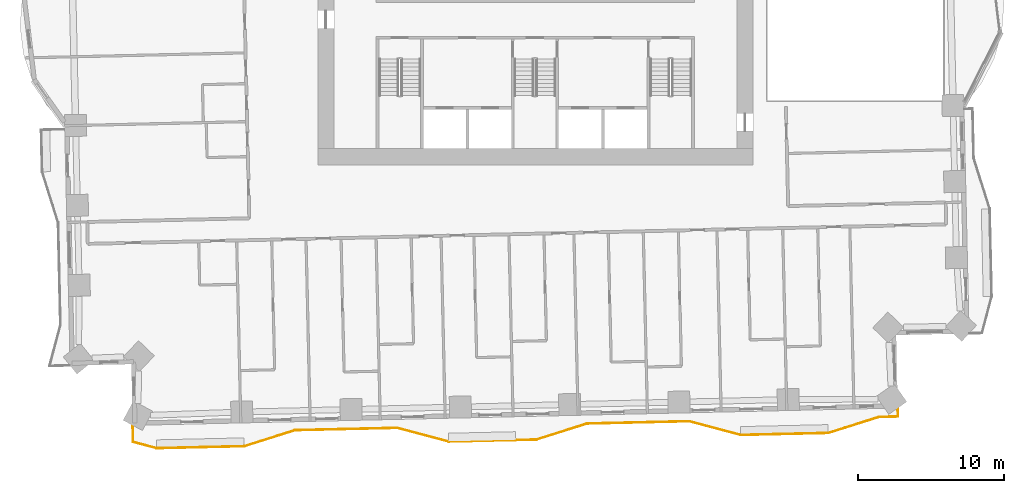
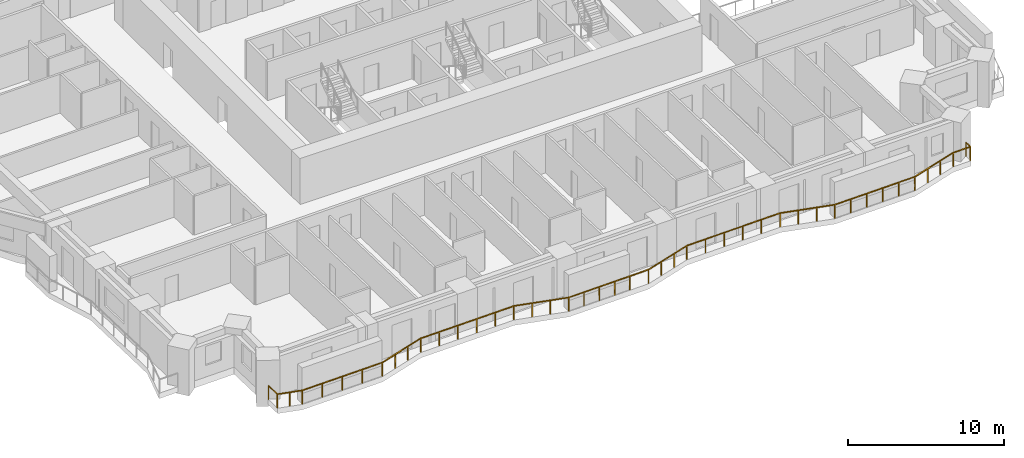
# One storey, part 14 of 16: 1 railing.
"""IFC4 building model written with IfcOpenShell, lengths in metres."""

from ifc_helpers import new_model, si_unit, direction, frame, origin, origin_2d, place, context, subcontext, project, spatial, rectangle, extrude, material, type_object, element, save


model = new_model("IFC4")

# Units and contexts
model_context = context("Model", 3, precision=1e-05, world=origin(), true_north=direction((0.0, 1.0)))
body_context = subcontext(model_context, "Body", "Model", "MODEL_VIEW")
ifc_project = project(units=[si_unit("LENGTHUNIT", "METRE"), si_unit("AREAUNIT", "SQUARE_METRE"), si_unit("VOLUMEUNIT", "CUBIC_METRE"), si_unit("PLANEANGLEUNIT", "RADIAN"), si_unit("MASSUNIT", "GRAM", prefix="KILO")], contexts=[model_context])

# Site, building, storey
site_placement = place(None, origin())
site = spatial("IfcSite", under=ifc_project, at=site_placement, CompositionType="ELEMENT")
building_placement = place(site_placement, origin())
building = spatial("IfcBuilding", under=site, at=building_placement, Name="Mangrove Gate Tower", CompositionType="ELEMENT")
storey_placement = place(building_placement, frame((0.0, 0.0, 44.89990234375)))
storey = spatial("IfcBuildingStorey", under=building, at=storey_placement, Name="L10", CompositionType="ELEMENT", Elevation=44.89990234375)

# Railing
ifc_material = material(Name="Stainless steel grade 316 with laminated glass infill", Category="steel")
railing_type = type_object("IfcRailingType", Name="Balcony guard 1100", PredefinedType="GUARDRAIL", material=ifc_material)
railing_placement = place(storey_placement, frame((-27.568115234375, -29.785888671875, 0.0)))
element("IfcRailing", 1, at=railing_placement, inside=storey, type_object=railing_type, Name="GUARD L10 S1", PredefinedType="GUARDRAIL", context=body_context, shape_type="SweptSolid", body=[
    extrude(rectangle(XDim=0.048095703125, YDim=0.048095703125, at=origin_2d()), frame((0.0, 0.0, 1.076171875), z_axis=(0.022872735147, -0.999738384772, 0.0), x_axis=(0.999738384772, 0.022872735147, 0.0)), (0.0, 0.0, 1.0), 1.099365234375),
    extrude(rectangle(XDim=0.048095703125, YDim=0.048095703125, at=origin_2d()), frame((0.025146484375, -1.09912109375, 1.076171875), z_axis=(0.966285996865, -0.257471109568, 0.0), x_axis=(0.257471109568, 0.966285996865, 0.0)), (0.0, 0.0, 1.0), 1.666015625),
    extrude(rectangle(XDim=0.048095703125, YDim=0.048095703125, at=origin_2d()), frame((1.635009765625, -1.528076171875, 1.076171875), z_axis=(0.999743094499, 0.022665943652, 0.0), x_axis=(-0.022665943652, 0.999743094499, 0.0)), (0.0, 0.0, 1.0), 5.99951171875),
    extrude(rectangle(XDim=0.048095703125, YDim=0.048095703125, at=origin_2d()), frame((7.633056640625, -1.39208984375, 1.076171875), z_axis=(0.953644393819, 0.300935823952, 0.0), x_axis=(-0.300935823952, 0.953644393819, 0.0)), (0.0, 0.0, 1.0), 3.64501953125),
    extrude(rectangle(XDim=0.048095703125, YDim=0.048095703125, at=origin_2d()), frame((11.109130859375, -0.295166015625, 1.076171875), z_axis=(0.999745352708, 0.022566119286, 0.0), x_axis=(-0.022566119286, 0.999745352708, 0.0)), (0.0, 0.0, 1.0), 6.999755859375),
    extrude(rectangle(XDim=0.048095703125, YDim=0.048095703125, at=origin_2d()), frame((18.107177734375, -0.13720703125, 1.076171875), z_axis=(0.966383766125, -0.257103902287, 0.0), x_axis=(0.257103902287, 0.966383766125, 0.0)), (0.0, 0.0, 1.0), 3.64453125),
    extrude(rectangle(XDim=0.048095703125, YDim=0.048095703125, at=origin_2d()), frame((21.629150390625, -1.07421875, 1.076171875), z_axis=(0.999744377441, 0.022609285172, 0.0), x_axis=(-0.022609285172, 0.999744377441, 0.0)), (0.0, 0.0, 1.0), 4.60009765625),
    extrude(rectangle(XDim=0.048095703125, YDim=0.048095703125, at=origin_2d()), frame((26.22802734375, -0.97021484375, 1.076171875), z_axis=(0.999739219063, 0.022836240226, 0.0), x_axis=(-0.022836240226, 0.999739219063, 0.0)), (0.0, 0.0, 1.0), 1.400390625),
    extrude(rectangle(XDim=0.048095703125, YDim=0.048095703125, at=origin_2d()), frame((27.628173828125, -0.938232421875, 1.076171875), z_axis=(0.953695986353, 0.300772281992, 0.0), x_axis=(-0.300772281992, 0.953695986353, 0.0)), (0.0, 0.0, 1.0), 3.64453125),
    extrude(rectangle(XDim=0.048095703125, YDim=0.048095703125, at=origin_2d()), frame((31.10400390625, 0.157958984375, 1.076171875), z_axis=(0.999742195543, 0.022705559911, 0.0), x_axis=(-0.022705559911, 0.999742195543, 0.0)), (0.0, 0.0, 1.0), 6.999755859375),
    extrude(rectangle(XDim=0.048095703125, YDim=0.048095703125, at=origin_2d()), frame((38.10205078125, 0.31689453125, 1.076171875), z_axis=(0.966317161661, -0.257354119999, 0.0), x_axis=(0.257354119999, 0.966317161661, 0.0)), (0.0, 0.0, 1.0), 3.644775390625),
    extrude(rectangle(XDim=0.048095703125, YDim=0.048095703125, at=origin_2d()), frame((41.6240234375, -0.62109375, 1.076171875), z_axis=(0.999743178102, 0.022662255828, 0.0), x_axis=(-0.022662255828, 0.999743178102, 0.0)), (0.0, 0.0, 1.0), 6.00048828125),
    extrude(rectangle(XDim=0.048095703125, YDim=0.048095703125, at=origin_2d()), frame((47.623046875, -0.485107421875, 1.076171875), z_axis=(0.953644393819, 0.300935823952, 0.0), x_axis=(-0.300935823952, 0.953644393819, 0.0)), (0.0, 0.0, 1.0), 3.64501953125),
    extrude(rectangle(XDim=0.048095703125, YDim=0.048095703125, at=origin_2d()), frame((51.09912109375, 0.61181640625, 1.076171875), z_axis=(0.999732933322, 0.023109782146, 0.0), x_axis=(-0.023109782146, 0.999732933322, 0.0)), (0.0, 0.0, 1.0), 1.29931640625),
    extrude(rectangle(XDim=0.048095703125, YDim=0.048095703125, at=origin_2d()), frame((52.398193359375, 0.641845703125, 1.076171875), z_axis=(-0.021899083205, 0.999760186322, 0.0), x_axis=(-0.999760186322, -0.021899083205, 0.0)), (0.0, 0.0, 1.0), 0.54638671875),
    extrude(rectangle(XDim=0.0419921875, YDim=0.0419921875, at=origin_2d()), origin(), (0.0, 0.0, 1.0), 1.052001953125),
    extrude(rectangle(XDim=0.0419921875, YDim=0.0419921875, at=origin_2d()), frame((0.025146484375, -1.09912109375, 0.0)), (0.0, 0.0, 1.0), 1.052001953125),
    extrude(rectangle(XDim=0.0419921875, YDim=0.0419921875, at=origin_2d()), frame((0.830078125, -1.3134765625, 0.0)), (0.0, 0.0, 1.0), 1.052001953125),
    extrude(rectangle(XDim=0.0419921875, YDim=0.0419921875, at=origin_2d()), frame((1.635009765625, -1.528076171875, 0.0)), (0.0, 0.0, 1.0), 1.052001953125),
    extrude(rectangle(XDim=0.0419921875, YDim=0.0419921875, at=origin_2d()), frame((3.134521484375, -1.494140625, 0.0)), (0.0, 0.0, 1.0), 1.052001953125),
    extrude(rectangle(XDim=0.0419921875, YDim=0.0419921875, at=origin_2d()), frame((4.634033203125, -1.4599609375, 0.0)), (0.0, 0.0, 1.0), 1.052001953125),
    extrude(rectangle(XDim=0.0419921875, YDim=0.0419921875, at=origin_2d()), frame((6.133544921875, -1.426025390625, 0.0)), (0.0, 0.0, 1.0), 1.052001953125),
    extrude(rectangle(XDim=0.0419921875, YDim=0.0419921875, at=origin_2d()), frame((7.633056640625, -1.39208984375, 0.0)), (0.0, 0.0, 1.0), 1.052001953125),
    extrude(rectangle(XDim=0.0419921875, YDim=0.0419921875, at=origin_2d()), frame((8.791748046875, -1.0263671875, 0.0)), (0.0, 0.0, 1.0), 1.052001953125),
    extrude(rectangle(XDim=0.0419921875, YDim=0.0419921875, at=origin_2d()), frame((9.950439453125, -0.660888671875, 0.0)), (0.0, 0.0, 1.0), 1.052001953125),
    extrude(rectangle(XDim=0.0419921875, YDim=0.0419921875, at=origin_2d()), frame((11.109130859375, -0.295166015625, 0.0)), (0.0, 0.0, 1.0), 1.052001953125),
    extrude(rectangle(XDim=0.0419921875, YDim=0.0419921875, at=origin_2d()), frame((12.5087890625, -0.263671875, 0.0)), (0.0, 0.0, 1.0), 1.052001953125),
    extrude(rectangle(XDim=0.0419921875, YDim=0.0419921875, at=origin_2d()), frame((13.908447265625, -0.23193359375, 0.0)), (0.0, 0.0, 1.0), 1.052001953125),
    extrude(rectangle(XDim=0.0419921875, YDim=0.0419921875, at=origin_2d()), frame((15.307861328125, -0.200439453125, 0.0)), (0.0, 0.0, 1.0), 1.052001953125),
    extrude(rectangle(XDim=0.0419921875, YDim=0.0419921875, at=origin_2d()), frame((16.70751953125, -0.168701171875, 0.0)), (0.0, 0.0, 1.0), 1.052001953125),
    extrude(rectangle(XDim=0.0419921875, YDim=0.0419921875, at=origin_2d()), frame((18.107177734375, -0.13720703125, 0.0)), (0.0, 0.0, 1.0), 1.052001953125),
    extrude(rectangle(XDim=0.0419921875, YDim=0.0419921875, at=origin_2d()), frame((19.28125, -0.449462890625, 0.0)), (0.0, 0.0, 1.0), 1.052001953125),
    extrude(rectangle(XDim=0.0419921875, YDim=0.0419921875, at=origin_2d()), frame((20.455078125, -0.761962890625, 0.0)), (0.0, 0.0, 1.0), 1.052001953125),
    extrude(rectangle(XDim=0.0419921875, YDim=0.0419921875, at=origin_2d()), frame((21.629150390625, -1.07421875, 0.0)), (0.0, 0.0, 1.0), 1.052001953125),
    extrude(rectangle(XDim=0.0419921875, YDim=0.0419921875, at=origin_2d()), frame((22.77880859375, -1.04833984375, 0.0)), (0.0, 0.0, 1.0), 1.052001953125),
    extrude(rectangle(XDim=0.0419921875, YDim=0.0419921875, at=origin_2d()), frame((23.9287109375, -1.022216796875, 0.0)), (0.0, 0.0, 1.0), 1.052001953125),
    extrude(rectangle(XDim=0.0419921875, YDim=0.0419921875, at=origin_2d()), frame((25.078369140625, -0.99609375, 0.0)), (0.0, 0.0, 1.0), 1.052001953125),
    extrude(rectangle(XDim=0.0419921875, YDim=0.0419921875, at=origin_2d()), frame((26.22802734375, -0.97021484375, 0.0)), (0.0, 0.0, 1.0), 1.052001953125),
    extrude(rectangle(XDim=0.0419921875, YDim=0.0419921875, at=origin_2d()), frame((27.628173828125, -0.938232421875, 0.0)), (0.0, 0.0, 1.0), 1.052001953125),
    extrude(rectangle(XDim=0.0419921875, YDim=0.0419921875, at=origin_2d()), frame((28.786865234375, -0.57275390625, 0.0)), (0.0, 0.0, 1.0), 1.052001953125),
    extrude(rectangle(XDim=0.0419921875, YDim=0.0419921875, at=origin_2d()), frame((29.9453125, -0.20751953125, 0.0)), (0.0, 0.0, 1.0), 1.052001953125),
    extrude(rectangle(XDim=0.0419921875, YDim=0.0419921875, at=origin_2d()), frame((31.10400390625, 0.157958984375, 0.0)), (0.0, 0.0, 1.0), 1.052001953125),
    extrude(rectangle(XDim=0.0419921875, YDim=0.0419921875, at=origin_2d()), frame((32.503662109375, 0.189697265625, 0.0)), (0.0, 0.0, 1.0), 1.052001953125),
    extrude(rectangle(XDim=0.0419921875, YDim=0.0419921875, at=origin_2d()), frame((33.9033203125, 0.221435546875, 0.0)), (0.0, 0.0, 1.0), 1.052001953125),
    extrude(rectangle(XDim=0.0419921875, YDim=0.0419921875, at=origin_2d()), frame((35.302734375, 0.25341796875, 0.0)), (0.0, 0.0, 1.0), 1.052001953125),
    extrude(rectangle(XDim=0.0419921875, YDim=0.0419921875, at=origin_2d()), frame((36.702392578125, 0.28515625, 0.0)), (0.0, 0.0, 1.0), 1.052001953125),
    extrude(rectangle(XDim=0.0419921875, YDim=0.0419921875, at=origin_2d()), frame((38.10205078125, 0.31689453125, 0.0)), (0.0, 0.0, 1.0), 1.052001953125),
    extrude(rectangle(XDim=0.0419921875, YDim=0.0419921875, at=origin_2d()), frame((39.276123046875, 0.004150390625, 0.0)), (0.0, 0.0, 1.0), 1.052001953125),
    extrude(rectangle(XDim=0.0419921875, YDim=0.0419921875, at=origin_2d()), frame((40.449951171875, -0.308349609375, 0.0)), (0.0, 0.0, 1.0), 1.052001953125),
    extrude(rectangle(XDim=0.0419921875, YDim=0.0419921875, at=origin_2d()), frame((41.6240234375, -0.62109375, 0.0)), (0.0, 0.0, 1.0), 1.052001953125),
    extrude(rectangle(XDim=0.0419921875, YDim=0.0419921875, at=origin_2d()), frame((42.82373046875, -0.593994140625, 0.0)), (0.0, 0.0, 1.0), 1.052001953125),
    extrude(rectangle(XDim=0.0419921875, YDim=0.0419921875, at=origin_2d()), frame((44.023681640625, -0.566650390625, 0.0)), (0.0, 0.0, 1.0), 1.052001953125),
    extrude(rectangle(XDim=0.0419921875, YDim=0.0419921875, at=origin_2d()), frame((45.223388671875, -0.53955078125, 0.0)), (0.0, 0.0, 1.0), 1.052001953125),
    extrude(rectangle(XDim=0.0419921875, YDim=0.0419921875, at=origin_2d()), frame((46.42333984375, -0.51220703125, 0.0)), (0.0, 0.0, 1.0), 1.052001953125),
    extrude(rectangle(XDim=0.0419921875, YDim=0.0419921875, at=origin_2d()), frame((47.623046875, -0.485107421875, 0.0)), (0.0, 0.0, 1.0), 1.052001953125),
    extrude(rectangle(XDim=0.0419921875, YDim=0.0419921875, at=origin_2d()), frame((48.78173828125, -0.119384765625, 0.0)), (0.0, 0.0, 1.0), 1.052001953125),
    extrude(rectangle(XDim=0.0419921875, YDim=0.0419921875, at=origin_2d()), frame((49.9404296875, 0.24609375, 0.0)), (0.0, 0.0, 1.0), 1.052001953125),
    extrude(rectangle(XDim=0.0419921875, YDim=0.0419921875, at=origin_2d()), frame((51.09912109375, 0.61181640625, 0.0)), (0.0, 0.0, 1.0), 1.052001953125),
    extrude(rectangle(XDim=0.0419921875, YDim=0.0419921875, at=origin_2d()), frame((52.398193359375, 0.641845703125, 0.0)), (0.0, 0.0, 1.0), 1.052001953125),
    extrude(rectangle(XDim=0.0419921875, YDim=0.0419921875, at=origin_2d()), frame((52.38623046875, 1.18798828125, 0.0)), (0.0, 0.0, 1.0), 1.052001953125),
])

save(model, "model.ifc")
